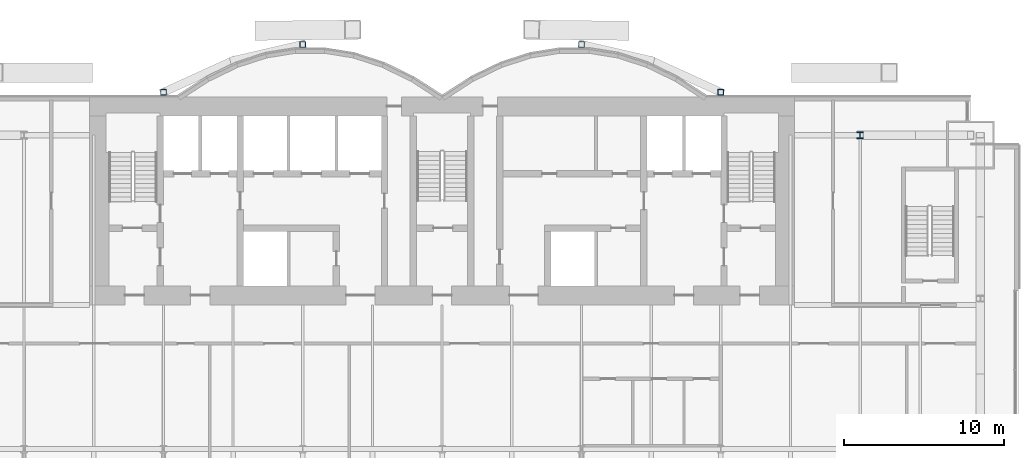
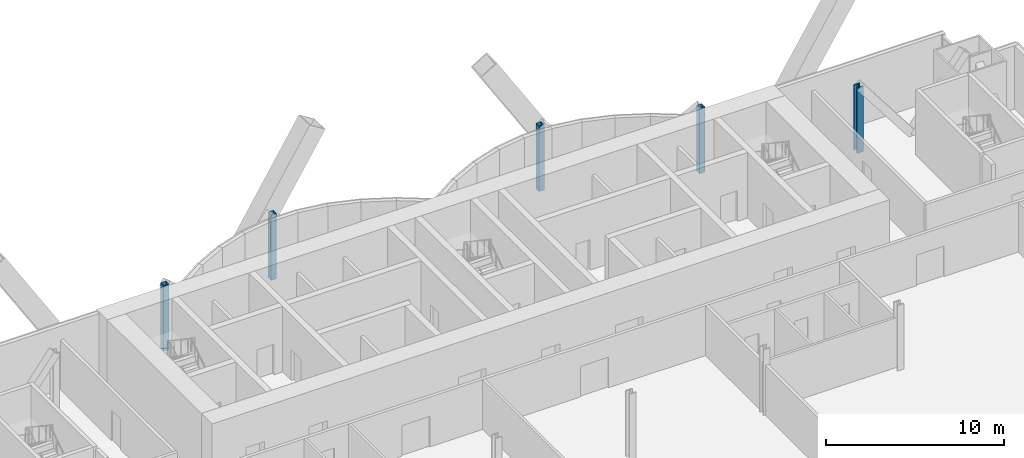
# One storey, part 2 of 22: 5 columns.
"""IFC4 building model written with IfcOpenShell, lengths in metres."""

from ifc_helpers import new_model, si_unit, direction, frame, origin, origin_2d, place, context, subcontext, project, spatial, hollow_rectangle, i_section, extrude, material, material_profile, profile_set, type_object, element, save


model = new_model("IFC4")

# Units and contexts
model_context = context("Model", 3, precision=1e-05, world=origin(), true_north=direction((0.0, 1.0)))
body_context = subcontext(model_context, "Body", "Model", "MODEL_VIEW")
ifc_project = project(units=[si_unit("LENGTHUNIT", "METRE"), si_unit("AREAUNIT", "SQUARE_METRE"), si_unit("VOLUMEUNIT", "CUBIC_METRE"), si_unit("PLANEANGLEUNIT", "RADIAN"), si_unit("MASSUNIT", "GRAM", prefix="KILO")], contexts=[model_context])

# Site, building, storey
site_placement = place(None, origin())
site = spatial("IfcSite", under=ifc_project, at=site_placement, CompositionType="ELEMENT")
building_placement = place(site_placement, origin())
building = spatial("IfcBuilding", under=site, at=building_placement, Name="Bicima Exchange Tower", CompositionType="ELEMENT")
storey_placement = place(building_placement, frame((0.0, 0.0, 71.0)))
storey = spatial("IfcBuildingStorey", under=building, at=storey_placement, Name="L14", CompositionType="ELEMENT", Elevation=71.0)

# Columns
ifc_material_1 = material(Name="Steel ASTM A992 Gr 50", Category="steel")
ifc_material_profile_1 = material_profile(ifc_material_1, i_section(OverallWidth=0.406494140625, OverallDepth=0.41650390625, WebThickness=0.030029296875, FlangeThickness=0.048095703125, at=origin_2d()))
ifc_profile_set_1 = profile_set([ifc_material_profile_1], Name="Steel ASTM A992 Gr 50")
column_type_1 = type_object("IfcColumnType", Name="Perimeter column W14x257", PredefinedType="COLUMN", material=ifc_profile_set_1)
column_placement = place(storey_placement, frame((26.10009765625, -2.39990234375, 0.0), z_axis=(0.0, 0.0, 1.0), x_axis=(1.0, 0.0, 0.0)))
element("IfcColumn", 1, at=column_placement, inside=storey, type_object=column_type_1, Name="Perimeter column grav+26.1r", PredefinedType="COLUMN", context=body_context, shape_type="SweptSolid", body=[
    extrude(i_section(OverallWidth=0.406494140625, OverallDepth=0.41650390625, WebThickness=0.030029296875, FlangeThickness=0.048095703125, at=origin_2d()), origin(), (0.0, 0.0, 1.0), 4.5),
])
ifc_material_2 = material(Name="Steel ASTM A572 Gr 50", Category="steel")
ifc_material_profile_2 = material_profile(ifc_material_2, hollow_rectangle(XDim=0.355712890625, YDim=0.355712890625, WallThickness=0.01171875, at=origin_2d()))
ifc_profile_set_2 = profile_set([ifc_material_profile_2], Name="Steel ASTM A572 Gr 50")
column_type_2 = type_object("IfcColumnType", Name="Rear pilaster HSS14x14x1/2", PredefinedType="COLUMN", material=ifc_profile_set_2)
for number, where, z_axis, x_axis, name in (
    (2, (-8.699951171875, 3.26904296875, 0.0), (0.0, 0.0, 1.0), (1.0, 0.0, 0.0), "Rear pilaster rexo-8.7r"),
    (3, (-17.39990234375, 0.278076171875, 0.0), (0.0, 0.0, 1.0), (1.0, 0.0, 0.0), "Rear pilaster rexo-17.4r"),
    (4, (8.699951171875, 3.26904296875, 0.0), (0.0, 0.0, 1.0), (1.0, 0.0, 0.0), "Rear pilaster rexo+8.7r"),
    (5, (17.39990234375, 0.278076171875, 0.0), (0.0, 0.0, 1.0), (1.0, 0.0, 0.0), "Rear pilaster rexo+17.4r"),
):
    element("IfcColumn", number, at=place(storey_placement, frame(where, z_axis=z_axis, x_axis=x_axis)), inside=storey, type_object=column_type_2, Name=name, PredefinedType="COLUMN", context=body_context, shape_type="SweptSolid", body=[
        extrude(hollow_rectangle(XDim=0.355712890625, YDim=0.355712890625, WallThickness=0.01171875, at=origin_2d()), origin(), (0.0, 0.0, 1.0), 4.5),
    ])

save(model, "model.ifc")
